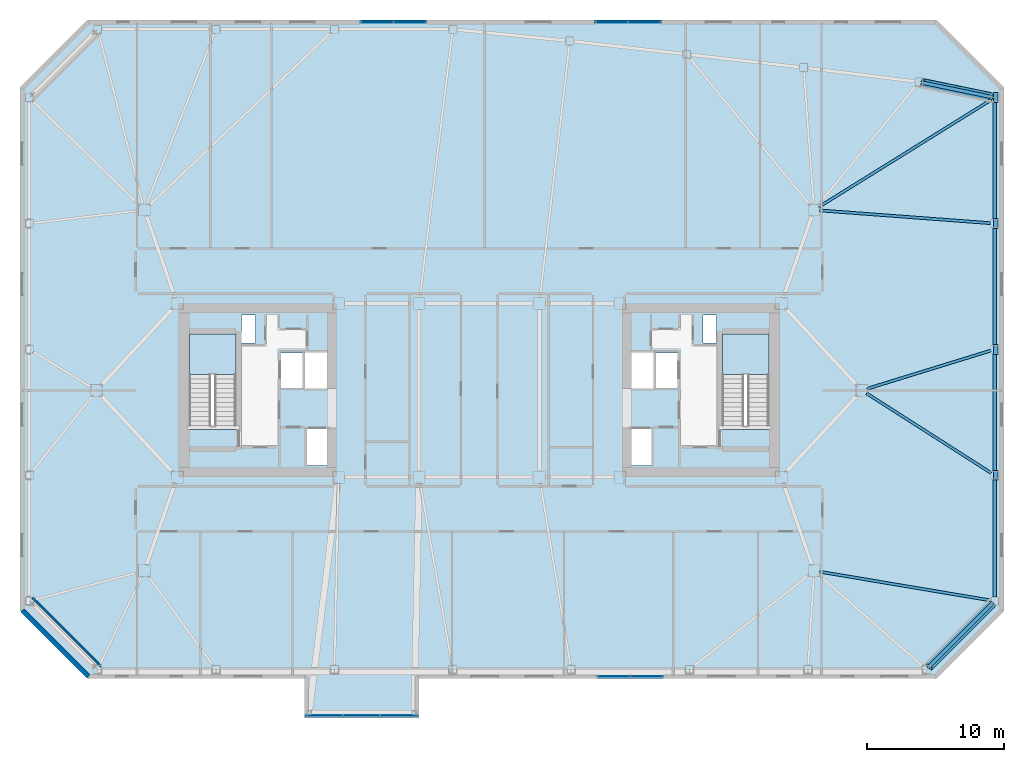
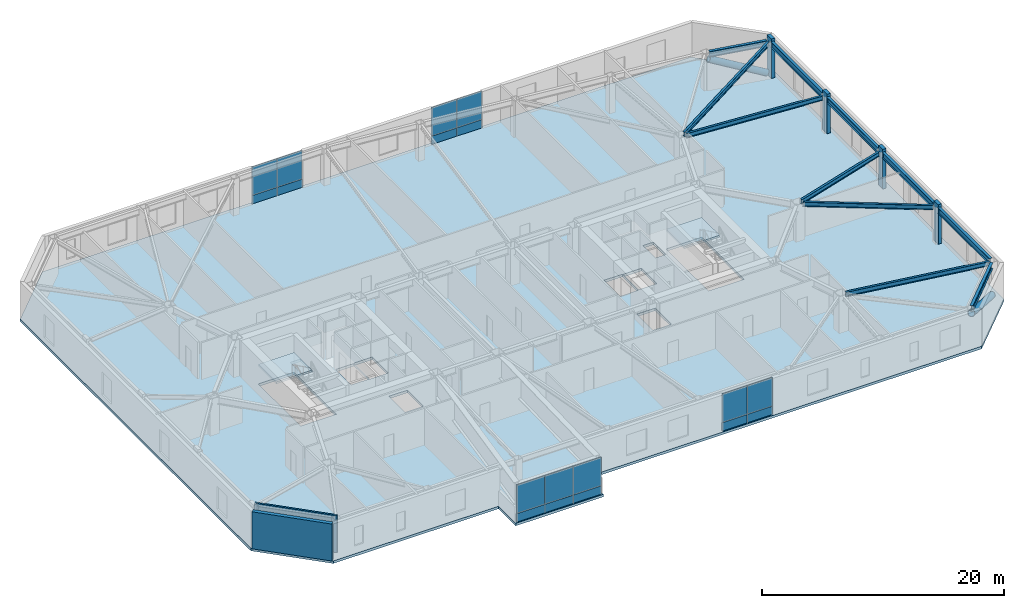
# One storey, part 10 of 19: 18 plates, 11 beams, 6 members, 3 slabs, 2 walls, 6 elements without a shape of their own.
"""IFC4 building model written with IfcOpenShell, lengths in metres."""

from ifc_helpers import new_model, si_unit, direction, frame, frame_2d, origin, origin_2d, place, context, subcontext, project, spatial, polyline, rectangle, hollow_circle, i_section, outline, extrude, material, layer, layer_set, material_profile, profile_set, type_object, element, aggregate, save


model = new_model("IFC4")

# Units and contexts
model_context = context("Model", 3, precision=1e-05, world=origin(), true_north=direction((0.0, 1.0)))
body_context = subcontext(model_context, "Body", "Model", "MODEL_VIEW")
ifc_project = project(units=[si_unit("LENGTHUNIT", "METRE"), si_unit("AREAUNIT", "SQUARE_METRE"), si_unit("VOLUMEUNIT", "CUBIC_METRE"), si_unit("PLANEANGLEUNIT", "RADIAN"), si_unit("MASSUNIT", "GRAM", prefix="KILO")], contexts=[model_context])

# Site, building, storey
site_placement = place(None, origin())
site = spatial("IfcSite", under=ifc_project, at=site_placement, CompositionType="ELEMENT")
building_placement = place(site_placement, origin())
building = spatial("IfcBuilding", under=site, at=building_placement, Name="Tavrogorsk Clinical Tower", CompositionType="ELEMENT")
storey_placement = place(building_placement, frame((0.0, 0.0, 156.199951171875)))
storey = spatial("IfcBuildingStorey", under=building, at=storey_placement, Name="L35", CompositionType="ELEMENT", Elevation=156.199951171875)

# Members
ifc_material_1 = material(Name="Structural steel S440", Category="steel")
ifc_material_profile_1 = material_profile(ifc_material_1, hollow_circle(Radius=0.304931640625, WallThickness=0.02490234375, at=origin_2d()), Name="CHS-610x25")
ifc_profile_set_1 = profile_set([ifc_material_profile_1], Name="Structural steel S440")
member_type_1 = type_object("IfcMemberType", Name="ExoBrace_CHS610", PredefinedType="BRACE", material=ifc_profile_set_1)
member_1_placement = place(storey_placement, frame((37.517333984375, -15.62255859375, 0.4130859375), z_axis=(-0.657738695475, -0.657773644396, 0.3670335696), x_axis=(0.707125566484, -0.70708799539, 0.0)))
element("IfcMember", 1, at=member_1_placement, inside=storey, type_object=member_type_1, Name="L35 Corner Exoskeleton Brace S8-E1", PredefinedType="BRACE", context=body_context, shape_type="SweptSolid", body=[
    extrude(hollow_circle(Radius=0.304931640625, WallThickness=0.02490234375, at=origin_2d()), origin(), (0.0, 0.0, 1.0), 6.985595703125),
])
member_2_placement = place(storey_placement, frame((37.44970703125, 21.47607421875, 0.4365234375), z_axis=(-0.877871206027, 0.181924853718, 0.442996042002), x_axis=(-0.202922555913, -0.979194789764, 0.0)))
element("IfcMember", 2, at=member_2_placement, inside=storey, type_object=member_type_1, Name="L35 Corner Exoskeleton Brace E5-N1", PredefinedType="BRACE", context=body_context, shape_type="SweptSolid", body=[
    extrude(hollow_circle(Radius=0.304931640625, WallThickness=0.02490234375, at=origin_2d()), origin(), (0.0, 0.0, 1.0), 5.681884765625),
])

# Beams
ifc_material_2 = material(Name="Structural steel S355", Category="steel")
ifc_material_profile_2 = material_profile(ifc_material_2, i_section(OverallWidth=0.199951171875, OverallDepth=0.449951171875, WebThickness=0.011474609375, FlangeThickness=0.01806640625, at=origin_2d()), Name="B-450x200x11.5x18")
ifc_profile_set_2 = profile_set([ifc_material_profile_2], Name="Structural steel S355")
beam_type_1 = type_object("IfcBeamType", Name="FloorBeam_B450", PredefinedType="BEAM", material=ifc_profile_set_2)
beam_1_placement = place(storey_placement, frame((24.904296875, -13.267822265625, 3.51513671875), z_axis=(0.98619191169, -0.165606501434, 0.0), x_axis=(0.165606501434, 0.98619191169, 0.0)))
element("IfcBeam", 3, at=beam_1_placement, inside=storey, type_object=beam_type_1, Name="L35 Radial Floor Beam E1", PredefinedType="BEAM", context=body_context, shape_type="SweptSolid", body=[
    extrude(i_section(OverallWidth=0.199951171875, OverallDepth=0.449951171875, WebThickness=0.011474609375, FlangeThickness=0.01806640625, at=origin_2d()), origin(), (0.0, 0.0, 1.0), 12.687255859375),
])
beam_2_placement = place(storey_placement, frame((28.345458984375, -0.220703125, 3.51513671875), z_axis=(0.842695406435, -0.538390612821, 0.0), x_axis=(0.538390612821, 0.842695406435, 0.0)))
element("IfcBeam", 4, at=beam_2_placement, inside=storey, type_object=beam_type_1, Name="L35 Radial Floor Beam E2", PredefinedType="BEAM", context=body_context, shape_type="SweptSolid", body=[
    extrude(i_section(OverallWidth=0.199951171875, OverallDepth=0.449951171875, WebThickness=0.011474609375, FlangeThickness=0.01806640625, at=origin_2d()), origin(), (0.0, 0.0, 1.0), 10.81640625),
])
beam_3_placement = place(storey_placement, frame((28.391845703125, 0.120849609375, 3.51513671875), z_axis=(0.955521252098, 0.294922255499, 0.0), x_axis=(-0.294922255499, 0.955521252098, 0.0)))
element("IfcBeam", 5, at=beam_3_placement, inside=storey, type_object=beam_type_1, Name="L35 Radial Floor Beam E3", PredefinedType="BEAM", context=body_context, shape_type="SweptSolid", body=[
    extrude(i_section(OverallWidth=0.199951171875, OverallDepth=0.449951171875, WebThickness=0.011474609375, FlangeThickness=0.01806640625, at=origin_2d()), origin(), (0.0, 0.0, 1.0), 9.454345703125),
])
beam_4_placement = place(storey_placement, frame((24.908935546875, 13.16943359375, 3.51513671875), z_axis=(0.99720685587, -0.074689267009, 0.0), x_axis=(0.074689267009, 0.99720685587, 0.0)))
element("IfcBeam", 6, at=beam_4_placement, inside=storey, type_object=beam_type_1, Name="L35 Radial Floor Beam E4", PredefinedType="BEAM", context=body_context, shape_type="SweptSolid", body=[
    extrude(i_section(OverallWidth=0.199951171875, OverallDepth=0.449951171875, WebThickness=0.011474609375, FlangeThickness=0.01806640625, at=origin_2d()), origin(), (0.0, 0.0, 1.0), 12.538818359375),
])
beam_5_placement = place(storey_placement, frame((24.84814453125, 13.41650390625, 3.51513671875), z_axis=(0.849226346116, 0.528028988846, 0.0), x_axis=(-0.528028988846, 0.849226346116, 0.0)))
element("IfcBeam", 7, at=beam_5_placement, inside=storey, type_object=beam_type_1, Name="L35 Radial Floor Beam E5", PredefinedType="BEAM", context=body_context, shape_type="SweptSolid", body=[
    extrude(i_section(OverallWidth=0.199951171875, OverallDepth=0.449951171875, WebThickness=0.011474609375, FlangeThickness=0.01806640625, at=origin_2d()), origin(), (0.0, 0.0, 1.0), 14.84912109375),
])

# Members
ifc_material_3 = material(Name="Precast concrete B45 with limestone cladding", Category="masonry")
ifc_material_profile_3 = material_profile(ifc_material_3, rectangle(XDim=0.320068359375, YDim=0.719970703125, at=origin_2d()), Name="LIMESTONE-FIN-320x720")
ifc_profile_set_3 = profile_set([ifc_material_profile_3], Name="Precast concrete B45 with limestone cladding")
member_type_2 = type_object("IfcMemberType", Name="LimestonePleatFin_320x720", PredefinedType="USERDEFINED", material=ifc_profile_set_3)
for number, where, z_axis, x_axis, name in (
    (8, (37.800048828125, -6.2099609375, 0.0), (0.0, 0.0, 1.0), (1.0, 0.0, 0.0), "L35 E Pleated Stone Fin 1"),
    (9, (37.800048828125, 3.0, 0.0), (0.0, 0.0, 1.0), (1.0, 0.0, 0.0), "L35 E Pleated Stone Fin 2"),
    (10, (37.800048828125, 12.2099609375, 0.0), (0.0, 0.0, 1.0), (1.0, 0.0, 0.0), "L35 E Pleated Stone Fin 3"),
    (11, (37.800048828125, 21.419921875, 0.0), (0.0, 0.0, 1.0), (1.0, 0.0, 0.0), "L35 E Pleated Stone Fin 4"),
):
    element("IfcMember", number, at=place(storey_placement, frame(where, z_axis=z_axis, x_axis=x_axis)), inside=storey, type_object=member_type_2, Name=name, ObjectType="FIN", PredefinedType="USERDEFINED", context=body_context, shape_type="SweptSolid", body=[
        extrude(rectangle(XDim=0.320068359375, YDim=0.719970703125, at=origin_2d()), origin(), (0.0, 0.0, 1.0), 4.0),
    ])

# Beams
ifc_material_4 = material(Name="Structural steel S390", Category="steel")
ifc_material_profile_4 = material_profile(ifc_material_4, i_section(OverallWidth=0.260009765625, OverallDepth=0.60009765625, WebThickness=0.014892578125, FlangeThickness=0.02392578125, at=origin_2d()), Name="B-600x260x15x24")
ifc_profile_set_4 = profile_set([ifc_material_profile_4], Name="Structural steel S390")
beam_type_2 = type_object("IfcBeamType", Name="SpandrelBeam_B600", PredefinedType="SPANDREL", material=ifc_profile_set_4)
beam_6_placement = place(storey_placement, frame((32.937744140625, -20.2021484375, 3.43994140625), z_axis=(0.707106781187, 0.707106781187, 0.0), x_axis=(-0.707106781187, 0.707106781187, 0.0)))
element("IfcBeam", 12, at=beam_6_placement, inside=storey, type_object=beam_type_2, Name="L35 Perimeter Spandrel S8-E1", PredefinedType="SPANDREL", context=body_context, shape_type="SweptSolid", body=[
    extrude(i_section(OverallWidth=0.260009765625, OverallDepth=0.60009765625, WebThickness=0.014892578125, FlangeThickness=0.02392578125, at=origin_2d()), origin(), (0.0, 0.0, 1.0), 6.455078125),
])
for number, where, z_axis, x_axis, name in (
    (13, (37.719970703125, -15.112060546875, 3.43994140625), (0.0, 1.0, 0.0), (-1.0, 0.0, 0.0), "L35 Perimeter Spandrel E1-E2"),
    (14, (37.719970703125, -5.902099609375, 3.43994140625), (0.0, 1.0, 0.0), (-1.0, 0.0, 0.0), "L35 Perimeter Spandrel E2-E3"),
    (15, (37.719970703125, 3.30810546875, 3.43994140625), (0.0, 1.0, 0.0), (-1.0, 0.0, 0.0), "L35 Perimeter Spandrel E3-E4"),
    (16, (37.719970703125, 12.51806640625, 3.43994140625), (0.0, 1.0, 0.0), (-1.0, 0.0, 0.0), "L35 Perimeter Spandrel E4-E5"),
):
    element("IfcBeam", number, at=place(storey_placement, frame(where, z_axis=z_axis, x_axis=x_axis)), inside=storey, type_object=beam_type_2, Name=name, PredefinedType="SPANDREL", context=body_context, shape_type="SweptSolid", body=[
        extrude(i_section(OverallWidth=0.260009765625, OverallDepth=0.60009765625, WebThickness=0.014892578125, FlangeThickness=0.02392578125, at=origin_2d()), origin(), (0.0, 0.0, 1.0), 8.593994140625),
    ])
beam_7_placement = place(storey_placement, frame((37.41845703125, 21.482421875, 3.43994140625), z_axis=(-0.979184643877, 0.202971508337, 0.0), x_axis=(-0.202971508337, -0.979184643877, 0.0)))
element("IfcBeam", 17, at=beam_7_placement, inside=storey, type_object=beam_type_2, Name="L35 Perimeter Spandrel E5-N1", PredefinedType="SPANDREL", context=body_context, shape_type="SweptSolid", body=[
    extrude(i_section(OverallWidth=0.260009765625, OverallDepth=0.60009765625, WebThickness=0.014892578125, FlangeThickness=0.02392578125, at=origin_2d()), origin(), (0.0, 0.0, 1.0), 5.0302734375),
])

# Curtain wall, plates
ifc_material_5 = material(Name="Anodised aluminium and triple IGU glazing", Category="aluminium")
ifc_layer_1 = layer(ifc_material_5, 0.179931640625)
ifc_layer_set_1 = layer_set([ifc_layer_1], Name="Anodised aluminium and triple IGU glazing")
curtain_wall_type_1 = type_object("IfcCurtainWallType", Name="CW3_SouthSlot", PredefinedType="NOTDEFINED", material=ifc_layer_set_1)
curtain_wall_1_placement = place(storey_placement, origin())
curtain_wall_1 = element("IfcCurtainWall", 18, at=curtain_wall_1_placement, inside=storey, type_object=curtain_wall_type_1, Name="L35 Curtain Wall CW-L35-S-SLOT-2", PredefinedType="NOTDEFINED")
ifc_material_6 = material(Name="Honed Podolsk limestone spandrel panel", Category="masonry")
ifc_layer_2 = layer(ifc_material_6, 0.080078125)
ifc_layer_set_2 = layer_set([ifc_layer_2], Name="Honed Podolsk limestone spandrel panel")
plate_type_1 = type_object("IfcPlateType", Name="CwSpandrelStonePanel_80", PredefinedType="CURTAIN_PANEL", material=ifc_layer_set_2)
plate_1_placement = place(storey_placement, frame((9.854736328125, -20.929931640625, 0.002197265625), z_axis=(0.0, 0.0, 1.0), x_axis=(1.0, 0.0, 0.0)))
plate_1 = element("IfcPlate", 19, at=plate_1_placement, type_object=plate_type_1, Name="CW-L35-S-SLOT-2 Stone Spandrel Panel 1", PredefinedType="CURTAIN_PANEL", context=body_context, shape_type="SweptSolid", body=[
    extrude(rectangle(XDim=2.39208984375, YDim=0.080078125, at=origin_2d()), origin(), (0.0, 0.0, 1.0), 0.8359375),
])
plate_2_placement = place(storey_placement, frame((12.270751953125, -20.929931640625, 0.002197265625), z_axis=(0.0, 0.0, 1.0), x_axis=(1.0, 0.0, 0.0)))
plate_2 = element("IfcPlate", 20, at=plate_2_placement, type_object=plate_type_1, Name="CW-L35-S-SLOT-2 Stone Spandrel Panel 2", PredefinedType="CURTAIN_PANEL", context=body_context, shape_type="SweptSolid", body=[
    extrude(rectangle(XDim=2.39208984375, YDim=0.080078125, at=origin_2d()), origin(), (0.0, 0.0, 1.0), 0.8359375),
])

ifc_material_7 = material(Name="Anodised aluminium and triple IGU glazing", Category="aluminium")
ifc_layer_3 = layer(ifc_material_7, 0.179931640625)
ifc_layer_set_3 = layer_set([ifc_layer_3], Name="Anodised aluminium and triple IGU glazing")
curtain_wall_type_2 = type_object("IfcCurtainWallType", Name="CW2_NorthSlot", PredefinedType="NOTDEFINED", material=ifc_layer_set_3)
curtain_wall_2_placement = place(storey_placement, origin())
curtain_wall_2 = element("IfcCurtainWall", 21, at=curtain_wall_2_placement, inside=storey, type_object=curtain_wall_type_2, Name="L35 Curtain Wall CW-L35-N-SLOT-1", PredefinedType="NOTDEFINED")
plate_3_placement = place(storey_placement, frame((-5.054931640625, 26.929931640625, 0.002197265625), z_axis=(0.0, 0.0, 1.0), x_axis=(-1.0, 0.0, 0.0)))
plate_3 = element("IfcPlate", 22, at=plate_3_placement, type_object=plate_type_1, Name="CW-L35-N-SLOT-1 Stone Spandrel Panel 1", PredefinedType="CURTAIN_PANEL", context=body_context, shape_type="SweptSolid", body=[
    extrude(rectangle(XDim=2.39208984375, YDim=0.080078125, at=origin_2d()), origin(), (0.0, 0.0, 1.0), 0.8359375),
])
plate_4_placement = place(storey_placement, frame((-7.470947265625, 26.929931640625, 0.002197265625), z_axis=(0.0, 0.0, 1.0), x_axis=(-1.0, 0.0, 0.0)))
plate_4 = element("IfcPlate", 23, at=plate_4_placement, type_object=plate_type_1, Name="CW-L35-N-SLOT-1 Stone Spandrel Panel 2", PredefinedType="CURTAIN_PANEL", context=body_context, shape_type="SweptSolid", body=[
    extrude(rectangle(XDim=2.39208984375, YDim=0.080078125, at=origin_2d()), origin(), (0.0, 0.0, 1.0), 0.8359375),
])

curtain_wall_3_placement = place(storey_placement, origin())
curtain_wall_3 = element("IfcCurtainWall", 24, at=curtain_wall_3_placement, inside=storey, type_object=curtain_wall_type_2, Name="L35 Curtain Wall CW-L35-N-SLOT-2", PredefinedType="NOTDEFINED")
plate_5_placement = place(storey_placement, frame((12.1181640625, 26.929931640625, 0.002197265625), z_axis=(0.0, 0.0, 1.0), x_axis=(-1.0, 0.0, 0.0)))
plate_5 = element("IfcPlate", 25, at=plate_5_placement, type_object=plate_type_1, Name="CW-L35-N-SLOT-2 Stone Spandrel Panel 1", PredefinedType="CURTAIN_PANEL", context=body_context, shape_type="SweptSolid", body=[
    extrude(rectangle(XDim=2.39208984375, YDim=0.080078125, at=origin_2d()), origin(), (0.0, 0.0, 1.0), 0.8359375),
])
plate_6_placement = place(storey_placement, frame((9.7021484375, 26.929931640625, 0.002197265625), z_axis=(0.0, 0.0, 1.0), x_axis=(-1.0, 0.0, 0.0)))
plate_6 = element("IfcPlate", 26, at=plate_6_placement, type_object=plate_type_1, Name="CW-L35-N-SLOT-2 Stone Spandrel Panel 2", PredefinedType="CURTAIN_PANEL", context=body_context, shape_type="SweptSolid", body=[
    extrude(rectangle(XDim=2.39208984375, YDim=0.080078125, at=origin_2d()), origin(), (0.0, 0.0, 1.0), 0.8359375),
])

ifc_material_8 = material(Name="Anodised aluminium and triple IGU glazing", Category="aluminium")
ifc_layer_4 = layer(ifc_material_8, 0.179931640625)
ifc_layer_set_4 = layer_set([ifc_layer_4], Name="Anodised aluminium and triple IGU glazing")
curtain_wall_type_3 = type_object("IfcCurtainWallType", Name="CW4_DayroomBox", PredefinedType="NOTDEFINED", material=ifc_layer_set_4)
curtain_wall_4_placement = place(storey_placement, origin())
curtain_wall_4 = element("IfcCurtainWall", 27, at=curtain_wall_4_placement, inside=storey, type_object=curtain_wall_type_3, Name="L35 Curtain Wall CW-DRB-05-L35", PredefinedType="NOTDEFINED")
plate_7_placement = place(storey_placement, frame((-11.305908203125, -23.800048828125, 0.002197265625), z_axis=(0.0, 0.0, 1.0), x_axis=(1.0, 0.0, 0.0)))
plate_7 = element("IfcPlate", 28, at=plate_7_placement, type_object=plate_type_1, Name="CW-DRB-05-L35 Stone Spandrel Panel 1", PredefinedType="CURTAIN_PANEL", context=body_context, shape_type="SweptSolid", body=[
    extrude(rectangle(XDim=2.68798828125, YDim=0.080078125, at=origin_2d()), origin(), (0.0, 0.0, 1.0), 0.8359375),
])
plate_8_placement = place(storey_placement, frame((-8.60009765625, -23.800048828125, 0.002197265625), z_axis=(0.0, 0.0, 1.0), x_axis=(1.0, 0.0, 0.0)))
plate_8 = element("IfcPlate", 29, at=plate_8_placement, type_object=plate_type_1, Name="CW-DRB-05-L35 Stone Spandrel Panel 2", PredefinedType="CURTAIN_PANEL", context=body_context, shape_type="SweptSolid", body=[
    extrude(rectangle(XDim=2.676025390625, YDim=0.080078125, at=origin_2d()), origin(), (0.0, 0.0, 1.0), 0.8359375),
])
plate_9_placement = place(storey_placement, frame((-5.89404296875, -23.800048828125, 0.002197265625), z_axis=(0.0, 0.0, 1.0), x_axis=(1.0, 0.0, 0.0)))
plate_9 = element("IfcPlate", 30, at=plate_9_placement, type_object=plate_type_1, Name="CW-DRB-05-L35 Stone Spandrel Panel 3", PredefinedType="CURTAIN_PANEL", context=body_context, shape_type="SweptSolid", body=[
    extrude(rectangle(XDim=2.68798828125, YDim=0.080078125, at=origin_2d()), origin(), (0.0, 0.0, 1.0), 0.8359375),
])

# Plate
ifc_material_9 = material(Name="Triple low-E argon insulated glass", Category="glass")
ifc_layer_5 = layer(ifc_material_9, 0.048095703125)
ifc_layer_set_5 = layer_set([ifc_layer_5], Name="Triple low-E argon insulated glass")
plate_type_2 = type_object("IfcPlateType", Name="CwVisionGlassPanel_48", PredefinedType="CURTAIN_PANEL", material=ifc_layer_set_5)
plate_10_placement = place(storey_placement, frame((9.854736328125, -20.929931640625, 0.862060546875), z_axis=(0.0, 0.0, 1.0), x_axis=(1.0, 0.0, 0.0)))
plate_10 = element("IfcPlate", 31, at=plate_10_placement, type_object=plate_type_2, Name="CW-L35-S-SLOT-2 Glazing Panel 1", PredefinedType="CURTAIN_PANEL", context=body_context, shape_type="SweptSolid", body=[
    extrude(rectangle(XDim=2.39208984375, YDim=0.048095703125, at=origin_2d()), origin(), (0.0, 0.0, 1.0), 2.8759765625),
])

plate_11_placement = place(storey_placement, frame((12.270751953125, -20.929931640625, 0.862060546875), z_axis=(0.0, 0.0, 1.0), x_axis=(1.0, 0.0, 0.0)))
plate_11 = element("IfcPlate", 32, at=plate_11_placement, type_object=plate_type_2, Name="CW-L35-S-SLOT-2 Glazing Panel 2", PredefinedType="CURTAIN_PANEL", context=body_context, shape_type="SweptSolid", body=[
    extrude(rectangle(XDim=2.39208984375, YDim=0.048095703125, at=origin_2d()), origin(), (0.0, 0.0, 1.0), 2.8759765625),
])

aggregate(curtain_wall_1, [plate_1, plate_10, plate_2, plate_11])

plate_12_placement = place(storey_placement, frame((-5.054931640625, 26.929931640625, 0.862060546875), z_axis=(0.0, 0.0, 1.0), x_axis=(-1.0, 0.0, 0.0)))
plate_12 = element("IfcPlate", 33, at=plate_12_placement, type_object=plate_type_2, Name="CW-L35-N-SLOT-1 Glazing Panel 1", PredefinedType="CURTAIN_PANEL", context=body_context, shape_type="SweptSolid", body=[
    extrude(rectangle(XDim=2.39208984375, YDim=0.048095703125, at=origin_2d()), origin(), (0.0, 0.0, 1.0), 2.8759765625),
])

plate_13_placement = place(storey_placement, frame((-7.470947265625, 26.929931640625, 0.862060546875), z_axis=(0.0, 0.0, 1.0), x_axis=(-1.0, 0.0, 0.0)))
plate_13 = element("IfcPlate", 34, at=plate_13_placement, type_object=plate_type_2, Name="CW-L35-N-SLOT-1 Glazing Panel 2", PredefinedType="CURTAIN_PANEL", context=body_context, shape_type="SweptSolid", body=[
    extrude(rectangle(XDim=2.39208984375, YDim=0.048095703125, at=origin_2d()), origin(), (0.0, 0.0, 1.0), 2.8759765625),
])

aggregate(curtain_wall_2, [plate_3, plate_12, plate_4, plate_13])

plate_14_placement = place(storey_placement, frame((12.1181640625, 26.929931640625, 0.862060546875), z_axis=(0.0, 0.0, 1.0), x_axis=(-1.0, 0.0, 0.0)))
plate_14 = element("IfcPlate", 35, at=plate_14_placement, type_object=plate_type_2, Name="CW-L35-N-SLOT-2 Glazing Panel 1", PredefinedType="CURTAIN_PANEL", context=body_context, shape_type="SweptSolid", body=[
    extrude(rectangle(XDim=2.39208984375, YDim=0.048095703125, at=origin_2d()), origin(), (0.0, 0.0, 1.0), 2.8759765625),
])

plate_15_placement = place(storey_placement, frame((9.7021484375, 26.929931640625, 0.862060546875), z_axis=(0.0, 0.0, 1.0), x_axis=(-1.0, 0.0, 0.0)))
plate_15 = element("IfcPlate", 36, at=plate_15_placement, type_object=plate_type_2, Name="CW-L35-N-SLOT-2 Glazing Panel 2", PredefinedType="CURTAIN_PANEL", context=body_context, shape_type="SweptSolid", body=[
    extrude(rectangle(XDim=2.39208984375, YDim=0.048095703125, at=origin_2d()), origin(), (0.0, 0.0, 1.0), 2.8759765625),
])

aggregate(curtain_wall_3, [plate_5, plate_14, plate_6, plate_15])

plate_16_placement = place(storey_placement, frame((-11.305908203125, -23.800048828125, 0.862060546875), z_axis=(0.0, 0.0, 1.0), x_axis=(1.0, 0.0, 0.0)))
plate_16 = element("IfcPlate", 37, at=plate_16_placement, type_object=plate_type_2, Name="CW-DRB-05-L35 Glazing Panel 1", PredefinedType="CURTAIN_PANEL", context=body_context, shape_type="SweptSolid", body=[
    extrude(rectangle(XDim=2.68798828125, YDim=0.048095703125, at=origin_2d()), origin(), (0.0, 0.0, 1.0), 2.8759765625),
])

plate_17_placement = place(storey_placement, frame((-8.60009765625, -23.800048828125, 0.862060546875), z_axis=(0.0, 0.0, 1.0), x_axis=(1.0, 0.0, 0.0)))
plate_17 = element("IfcPlate", 38, at=plate_17_placement, type_object=plate_type_2, Name="CW-DRB-05-L35 Glazing Panel 2", PredefinedType="CURTAIN_PANEL", context=body_context, shape_type="SweptSolid", body=[
    extrude(rectangle(XDim=2.676025390625, YDim=0.048095703125, at=origin_2d()), origin(), (0.0, 0.0, 1.0), 2.8759765625),
])

plate_18_placement = place(storey_placement, frame((-5.89404296875, -23.800048828125, 0.862060546875), z_axis=(0.0, 0.0, 1.0), x_axis=(1.0, 0.0, 0.0)))
plate_18 = element("IfcPlate", 39, at=plate_18_placement, type_object=plate_type_2, Name="CW-DRB-05-L35 Glazing Panel 3", PredefinedType="CURTAIN_PANEL", context=body_context, shape_type="SweptSolid", body=[
    extrude(rectangle(XDim=2.68798828125, YDim=0.048095703125, at=origin_2d()), origin(), (0.0, 0.0, 1.0), 2.8759765625),
])

aggregate(curtain_wall_4, [plate_7, plate_16, plate_8, plate_17, plate_9, plate_18])

# Stair, slab
ifc_material_10 = material(Name="Concrete B60", Category="concrete")
stair_type = type_object("IfcStairType", Name="CoreStairAssembly", PredefinedType="HALF_TURN_STAIR", material=ifc_material_10)
stair_1_placement = place(storey_placement, origin())
stair_1 = element("IfcStair", 40, at=stair_1_placement, inside=storey, type_object=stair_type, Name="L35 ST-W", PredefinedType="HALF_TURN_STAIR")
ifc_material_11 = material(Name="Concrete B60", Category="concrete")
ifc_layer_6 = layer(ifc_material_11, 0.199951171875)
ifc_layer_set_6 = layer_set([ifc_layer_6], Name="Concrete B60")
slab_type_1 = type_object("IfcSlabType", Name="StairLanding_200", PredefinedType="LANDING", material=ifc_layer_set_6)
slab_1_placement = place(storey_placement, frame((0.0, 0.0, 1.800048828125)))
slab_1 = element("IfcSlab", 41, at=slab_1_placement, type_object=slab_type_1, Name="ST-W landing 1", PredefinedType="LANDING", context=body_context, shape_type="SweptSolid", body=[
    extrude(outline(polyline([(-17.800048828125, 1.1650390625), (-17.800048828125, 4.125), (-21.199951171875, 4.125), (-21.199951171875, 1.1650390625), (-17.800048828125, 1.1650390625)])), origin(), (0.0, 0.0, 1.0), 0.199951171875),
])
aggregate(stair_1, [slab_1])

stair_2_placement = place(storey_placement, origin())
stair_2 = element("IfcStair", 42, at=stair_2_placement, inside=storey, type_object=stair_type, Name="L35 ST-E", PredefinedType="HALF_TURN_STAIR")
slab_2_placement = place(storey_placement, frame((0.0, 0.0, 1.800048828125)))
slab_2 = element("IfcSlab", 43, at=slab_2_placement, type_object=slab_type_1, Name="ST-E landing 1", PredefinedType="LANDING", context=body_context, shape_type="SweptSolid", body=[
    extrude(outline(polyline([(21.199951171875, 1.1650390625), (21.199951171875, 4.125), (17.800048828125, 4.125), (17.800048828125, 1.1650390625), (21.199951171875, 1.1650390625)])), origin(), (0.0, 0.0, 1.0), 0.199951171875),
])
aggregate(stair_2, [slab_2])

# Slab
ifc_material_12 = material(Name="Concrete B60", Category="concrete")
ifc_layer_7 = layer(ifc_material_12, 0.260009765625)
ifc_layer_set_7 = layer_set([ifc_layer_7], Name="Concrete B60")
slab_type_2 = type_object("IfcSlabType", Name="WardSlab_260", PredefinedType="FLOOR", material=ifc_layer_set_7)
slab_3_placement = place(storey_placement, frame((0.0, 0.0, -0.260009765625)))
element("IfcSlab", 44, at=slab_3_placement, inside=storey, type_object=slab_type_2, Name="L35 Structural Slab", PredefinedType="FLOOR", context=body_context, shape_type="SweptSolid", body=[
    extrude(outline(polyline([(-28.60009765625, -21.10009765625), (-33.60009765625, -16.10009765625), (-33.60009765625, 22.10009765625), (-28.60009765625, 27.10009765625), (33.39990234375, 27.10009765625), (38.39990234375, 22.10009765625), (38.39990234375, -16.10009765625), (33.39990234375, -21.10009765625), (-4.39990234375, -21.10009765625), (-4.39990234375, -23.949951171875), (-12.800048828125, -23.949951171875), (-12.800048828125, -21.10009765625), (-28.60009765625, -21.10009765625)]), holes=[polyline([(-17.800048828125, -2.8798828125), (-17.800048828125, 4.125), (-21.199951171875, 4.125), (-21.199951171875, -2.8798828125), (-17.800048828125, -2.8798828125)]), polyline([(21.199951171875, -2.8798828125), (21.199951171875, 4.125), (17.800048828125, 4.125), (17.800048828125, -2.8798828125), (21.199951171875, -2.8798828125)]), polyline([(-14.6201171875, 0.169921875), (-12.860107421875, 0.169921875), (-12.860107421875, 2.72998046875), (-14.6201171875, 2.72998046875), (-14.6201171875, 0.169921875)]), polyline([(-12.72998046875, -5.47998046875), (-10.969970703125, -5.47998046875), (-10.969970703125, -2.820068359375), (-12.72998046875, -2.820068359375), (-12.72998046875, -5.47998046875)]), polyline([(-12.840087890625, 0.1201171875), (-11.080078125, 0.1201171875), (-11.080078125, 2.780029296875), (-12.840087890625, 2.780029296875), (-12.840087890625, 0.1201171875)]), polyline([(12.860107421875, 0.169921875), (14.6201171875, 0.169921875), (14.6201171875, 2.72998046875), (12.860107421875, 2.72998046875), (12.860107421875, 0.169921875)]), polyline([(10.969970703125, -5.47998046875), (12.72998046875, -5.47998046875), (12.72998046875, -2.820068359375), (10.969970703125, -2.820068359375), (10.969970703125, -5.47998046875)]), polyline([(11.080078125, 0.1201171875), (12.840087890625, 0.1201171875), (12.840087890625, 2.780029296875), (11.080078125, 2.780029296875), (11.080078125, 0.1201171875)]), polyline([(-17.3798828125, 3.449951171875), (-16.3798828125, 3.449951171875), (-16.3798828125, 5.5), (-17.3798828125, 5.5), (-17.3798828125, 3.449951171875)]), polyline([(16.3798828125, 3.449951171875), (17.3798828125, 3.449951171875), (17.3798828125, 5.5), (16.3798828125, 5.5), (16.3798828125, 3.449951171875)])]), origin(), (0.0, 0.0, 1.0), 0.260009765625),
])

# Walls
ifc_material_13 = material(Name="Lightweight concrete blockwork B15", Category="masonry")
ifc_layer_8 = layer(ifc_material_13, 0.159912109375)
ifc_layer_set_8 = layer_set([ifc_layer_8], Name="Lightweight concrete blockwork B15")
wall_type_1 = type_object("IfcWallType", Name="PartitionWall_160", PredefinedType="PARTITIONING", material=ifc_layer_set_8)
wall_1_placement = place(storey_placement, frame((-32.6796875, -15.1796875, 0.0), z_axis=(0.0, 0.0, 1.0), x_axis=(0.707106781187, -0.707106781187, 0.0)))
element("IfcWall", 45, at=wall_1_placement, inside=storey, type_object=wall_type_1, Name="L35 Corner Exoskeleton Brace Furring Wall 4", PredefinedType="PARTITIONING", context=body_context, shape_type="SweptSolid", body=[
    extrude(rectangle(XDim=7.071044921875, YDim=0.159912109375, at=frame_2d((3.53564453125, 0.0))), origin(), (0.0, 0.0, 1.0), 3.739990234375),
])
ifc_material_14 = material(Name="Precast concrete B45 with limestone cladding", Category="masonry")
ifc_layer_9 = layer(ifc_material_14, 0.340087890625)
ifc_layer_set_9 = layer_set([ifc_layer_9], Name="Precast concrete B45 with limestone cladding")
wall_type_2 = type_object("IfcWallType", Name="PrecastLimestoneWall_340", PredefinedType="STANDARD", material=ifc_layer_set_9)
wall_2_placement = place(storey_placement, frame((-33.429931640625, -16.10009765625, 0.0), z_axis=(0.0, 0.0, 1.0), x_axis=(0.707106781187, -0.707106781187, 0.0)))
element("IfcWall", 46, at=wall_2_placement, inside=storey, type_object=wall_type_2, Name="L35 Chamfered Corner Wall 4", PredefinedType="STANDARD", context=body_context, shape_type="SweptSolid", body=[
    extrude(rectangle(XDim=6.830322265625, YDim=0.340087890625, at=frame_2d((3.4150390625, 0.0))), origin(), (0.0, 0.0, 1.0), 3.739990234375),
])

save(model, "model.ifc")
